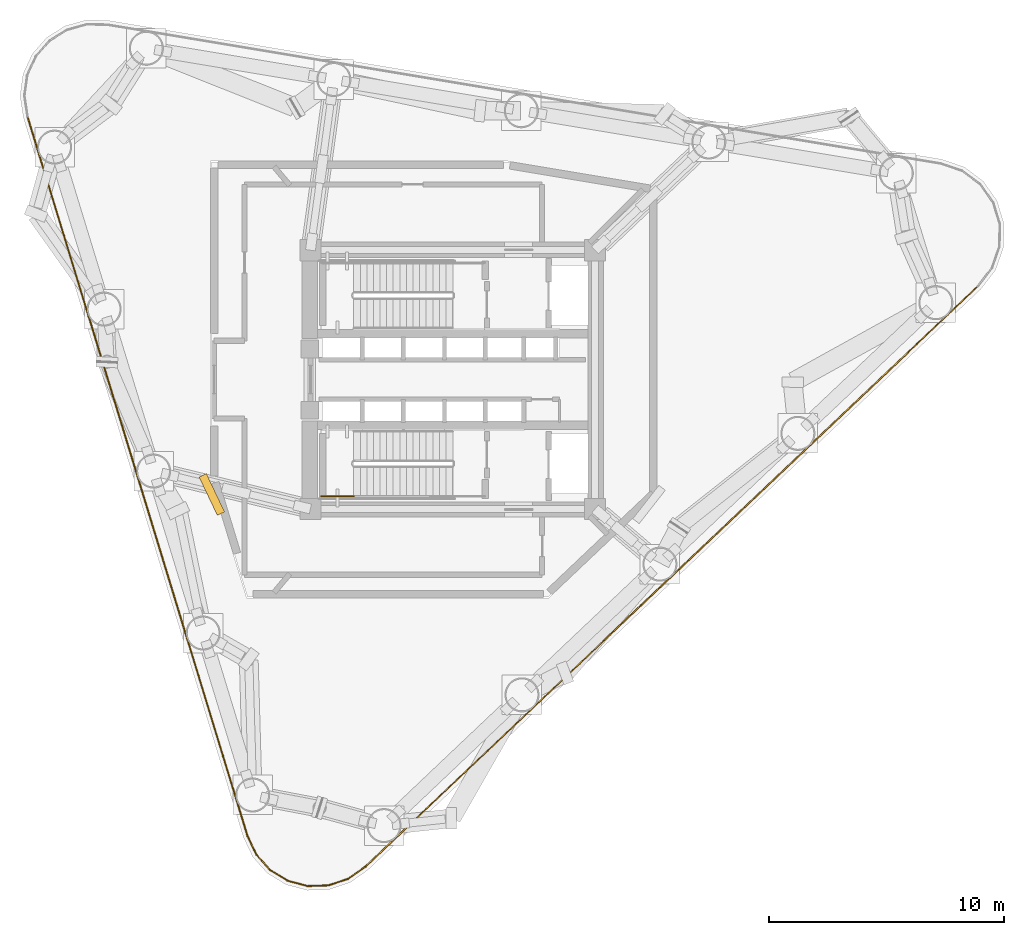
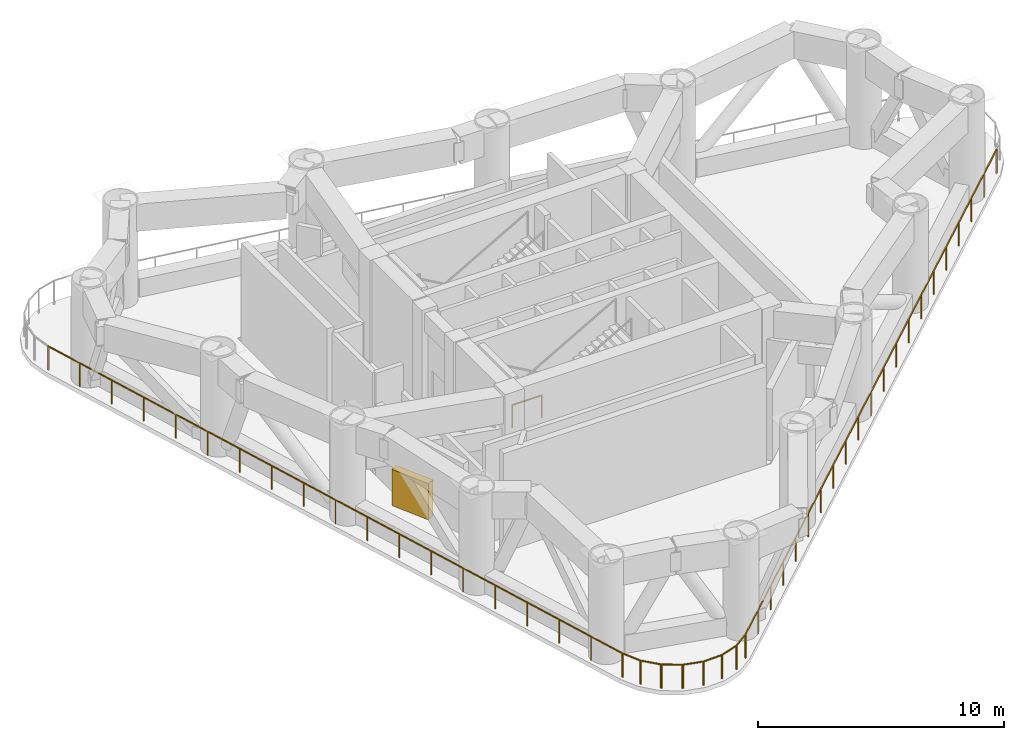
# One storey, part 6 of 8: 10 railings, 1 shading device.
"""IFC4 building model written with IfcOpenShell, lengths in metres."""

from ifc_helpers import new_model, si_unit, direction, frame, origin, origin_2d, place, context, subcontext, project, spatial, rectangle, extrude, source, transform, mapped, material, layer, layer_set, type_object, element, save


model = new_model("IFC4")

# Units and contexts
model_context = context("Model", 3, precision=1e-05, world=origin(), true_north=direction((0.0, 1.0)))
body_context = subcontext(model_context, "Body", "Model", "MODEL_VIEW")
ifc_project = project(units=[si_unit("LENGTHUNIT", "METRE"), si_unit("AREAUNIT", "SQUARE_METRE"), si_unit("VOLUMEUNIT", "CUBIC_METRE"), si_unit("PLANEANGLEUNIT", "RADIAN"), si_unit("MASSUNIT", "GRAM", prefix="KILO")], contexts=[model_context])

# Site, building, storey
site_placement = place(None, origin())
site = spatial("IfcSite", under=ifc_project, at=site_placement, CompositionType="ELEMENT")
building_placement = place(site_placement, origin())
building = spatial("IfcBuilding", under=site, at=building_placement, Name="Yunling Apex Tower", CompositionType="ELEMENT")
storey_placement = place(building_placement, frame((0.0, 0.0, 119.89990234375)))
storey = spatial("IfcBuildingStorey", under=building, at=storey_placement, Name="RF3", CompositionType="ELEMENT", Elevation=119.89990234375)

# Railings
ifc_material_1 = material(Name="Bronze anodised aluminium", Category="aluminium")
railing_type_1 = type_object("IfcRailingType", Name="RL-BAL-1200", PredefinedType="BALUSTRADE", material=ifc_material_1)
railing_1_placement = place(storey_placement, frame((-8.72705078125, -19.40185546875, 0.0)))
element("IfcRailing", 1, at=railing_1_placement, inside=storey, type_object=railing_type_1, Name="RL-REF-RF3-01", PredefinedType="BALUSTRADE", context=body_context, shape_type="SweptSolid", body=[
    extrude(rectangle(XDim=0.0439453125, YDim=0.0439453125, at=origin_2d()), origin(), (0.0, 0.0, 1.0), 1.199951171875),
    extrude(rectangle(XDim=0.0439453125, YDim=0.0439453125, at=origin_2d()), frame((-9.357421875, 30.606689453125, 0.0)), (0.0, 0.0, 1.0), 1.199951171875),
    extrude(rectangle(XDim=0.050048828125, YDim=0.050048828125, at=origin_2d()), frame((-0.01123046875, 0.03662109375, 1.1748046875), z_axis=(-0.292372214808, 0.956304600014, 0.0), x_axis=(-0.956304600014, -0.292372214808, 0.0)), (0.0, 0.0, 1.0), 31.928466796875),
    extrude(rectangle(XDim=0.0439453125, YDim=0.0439453125, at=origin_2d()), frame((-0.519775390625, 1.700439453125, 0.0)), (0.0, 0.0, 1.0), 1.14599609375),
    extrude(rectangle(XDim=0.0439453125, YDim=0.0439453125, at=origin_2d()), frame((-1.039794921875, 3.400634765625, 0.0)), (0.0, 0.0, 1.0), 1.14599609375),
    extrude(rectangle(XDim=0.0439453125, YDim=0.0439453125, at=origin_2d()), frame((-1.5595703125, 5.10107421875, 0.0)), (0.0, 0.0, 1.0), 1.14599609375),
    extrude(rectangle(XDim=0.0439453125, YDim=0.0439453125, at=origin_2d()), frame((-2.079345703125, 6.801513671875, 0.0)), (0.0, 0.0, 1.0), 1.14599609375),
    extrude(rectangle(XDim=0.0439453125, YDim=0.0439453125, at=origin_2d()), frame((-2.599365234375, 8.501953125, 0.0)), (0.0, 0.0, 1.0), 1.14599609375),
    extrude(rectangle(XDim=0.0439453125, YDim=0.0439453125, at=origin_2d()), frame((-3.119140625, 10.2021484375, 0.0)), (0.0, 0.0, 1.0), 1.14599609375),
    extrude(rectangle(XDim=0.0439453125, YDim=0.0439453125, at=origin_2d()), frame((-3.638916015625, 11.902587890625, 0.0)), (0.0, 0.0, 1.0), 1.14599609375),
    extrude(rectangle(XDim=0.0439453125, YDim=0.0439453125, at=origin_2d()), frame((-4.158935546875, 13.60302734375, 0.0)), (0.0, 0.0, 1.0), 1.14599609375),
    extrude(rectangle(XDim=0.0439453125, YDim=0.0439453125, at=origin_2d()), frame((-4.6787109375, 15.30322265625, 0.0)), (0.0, 0.0, 1.0), 1.14599609375),
    extrude(rectangle(XDim=0.0439453125, YDim=0.0439453125, at=origin_2d()), frame((-5.198486328125, 17.003662109375, 0.0)), (0.0, 0.0, 1.0), 1.14599609375),
    extrude(rectangle(XDim=0.0439453125, YDim=0.0439453125, at=origin_2d()), frame((-5.718505859375, 18.7041015625, 0.0)), (0.0, 0.0, 1.0), 1.14599609375),
    extrude(rectangle(XDim=0.0439453125, YDim=0.0439453125, at=origin_2d()), frame((-6.23828125, 20.404541015625, 0.0)), (0.0, 0.0, 1.0), 1.14599609375),
    extrude(rectangle(XDim=0.0439453125, YDim=0.0439453125, at=origin_2d()), frame((-6.758056640625, 22.104736328125, 0.0)), (0.0, 0.0, 1.0), 1.14599609375),
    extrude(rectangle(XDim=0.0439453125, YDim=0.0439453125, at=origin_2d()), frame((-7.278076171875, 23.80517578125, 0.0)), (0.0, 0.0, 1.0), 1.14599609375),
    extrude(rectangle(XDim=0.0439453125, YDim=0.0439453125, at=origin_2d()), frame((-7.7978515625, 25.505615234375, 0.0)), (0.0, 0.0, 1.0), 1.14599609375),
    extrude(rectangle(XDim=0.0439453125, YDim=0.0439453125, at=origin_2d()), frame((-8.317626953125, 27.2060546875, 0.0)), (0.0, 0.0, 1.0), 1.14599609375),
    extrude(rectangle(XDim=0.0439453125, YDim=0.0439453125, at=origin_2d()), frame((-8.837646484375, 28.90625, 0.0)), (0.0, 0.0, 1.0), 1.14599609375),
])
railing_2_placement = place(storey_placement, frame((22.336669921875, 3.9833984375, 0.0)))
element("IfcRailing", 2, at=railing_2_placement, inside=storey, type_object=railing_type_1, Name="RL-REF-RF3-17", PredefinedType="BALUSTRADE", context=body_context, shape_type="SweptSolid", body=[
    extrude(rectangle(XDim=0.0439453125, YDim=0.0439453125, at=origin_2d()), origin(), (0.0, 0.0, 1.0), 1.199951171875),
    extrude(rectangle(XDim=0.0439453125, YDim=0.0439453125, at=origin_2d()), frame((-26.0673828125, -24.702392578125, 0.0)), (0.0, 0.0, 1.0), 1.199951171875),
    extrude(rectangle(XDim=0.050048828125, YDim=0.050048828125, at=origin_2d()), frame((-0.02783203125, -0.0263671875, 1.1748046875), z_axis=(-0.725855676031, -0.68784703065, 0.0), x_axis=(0.68784703065, -0.725855676031, 0.0)), (0.0, 0.0, 1.0), 35.8359375),
    extrude(rectangle(XDim=0.0439453125, YDim=0.0439453125, at=origin_2d()), frame((-1.303466796875, -1.235107421875, 0.0)), (0.0, 0.0, 1.0), 1.14599609375),
    extrude(rectangle(XDim=0.0439453125, YDim=0.0439453125, at=origin_2d()), frame((-2.606689453125, -2.47021484375, 0.0)), (0.0, 0.0, 1.0), 1.14599609375),
    extrude(rectangle(XDim=0.0439453125, YDim=0.0439453125, at=origin_2d()), frame((-3.91015625, -3.705322265625, 0.0)), (0.0, 0.0, 1.0), 1.14599609375),
    extrude(rectangle(XDim=0.0439453125, YDim=0.0439453125, at=origin_2d()), frame((-5.21337890625, -4.9404296875, 0.0)), (0.0, 0.0, 1.0), 1.14599609375),
    extrude(rectangle(XDim=0.0439453125, YDim=0.0439453125, at=origin_2d()), frame((-6.516845703125, -6.175537109375, 0.0)), (0.0, 0.0, 1.0), 1.14599609375),
    extrude(rectangle(XDim=0.0439453125, YDim=0.0439453125, at=origin_2d()), frame((-7.8203125, -7.41064453125, 0.0)), (0.0, 0.0, 1.0), 1.14599609375),
    extrude(rectangle(XDim=0.0439453125, YDim=0.0439453125, at=origin_2d()), frame((-9.12353515625, -8.645751953125, 0.0)), (0.0, 0.0, 1.0), 1.14599609375),
    extrude(rectangle(XDim=0.0439453125, YDim=0.0439453125, at=origin_2d()), frame((-10.427001953125, -9.880859375, 0.0)), (0.0, 0.0, 1.0), 1.14599609375),
    extrude(rectangle(XDim=0.0439453125, YDim=0.0439453125, at=origin_2d()), frame((-11.730224609375, -11.115966796875, 0.0)), (0.0, 0.0, 1.0), 1.14599609375),
    extrude(rectangle(XDim=0.0439453125, YDim=0.0439453125, at=origin_2d()), frame((-13.03369140625, -12.35107421875, 0.0)), (0.0, 0.0, 1.0), 1.14599609375),
    extrude(rectangle(XDim=0.0439453125, YDim=0.0439453125, at=origin_2d()), frame((-14.337158203125, -13.58642578125, 0.0)), (0.0, 0.0, 1.0), 1.14599609375),
    extrude(rectangle(XDim=0.0439453125, YDim=0.0439453125, at=origin_2d()), frame((-15.640380859375, -14.821533203125, 0.0)), (0.0, 0.0, 1.0), 1.14599609375),
    extrude(rectangle(XDim=0.0439453125, YDim=0.0439453125, at=origin_2d()), frame((-16.94384765625, -16.056640625, 0.0)), (0.0, 0.0, 1.0), 1.14599609375),
    extrude(rectangle(XDim=0.0439453125, YDim=0.0439453125, at=origin_2d()), frame((-18.2470703125, -17.291748046875, 0.0)), (0.0, 0.0, 1.0), 1.14599609375),
    extrude(rectangle(XDim=0.0439453125, YDim=0.0439453125, at=origin_2d()), frame((-19.550537109375, -18.52685546875, 0.0)), (0.0, 0.0, 1.0), 1.14599609375),
    extrude(rectangle(XDim=0.0439453125, YDim=0.0439453125, at=origin_2d()), frame((-20.85400390625, -19.761962890625, 0.0)), (0.0, 0.0, 1.0), 1.14599609375),
    extrude(rectangle(XDim=0.0439453125, YDim=0.0439453125, at=origin_2d()), frame((-22.1572265625, -20.9970703125, 0.0)), (0.0, 0.0, 1.0), 1.14599609375),
    extrude(rectangle(XDim=0.0439453125, YDim=0.0439453125, at=origin_2d()), frame((-23.460693359375, -22.232177734375, 0.0)), (0.0, 0.0, 1.0), 1.14599609375),
    extrude(rectangle(XDim=0.0439453125, YDim=0.0439453125, at=origin_2d()), frame((-24.763916015625, -23.46728515625, 0.0)), (0.0, 0.0, 1.0), 1.14599609375),
])
railing_3_placement = place(storey_placement, frame((-3.70751953125, -20.7001953125, 0.0)))
element("IfcRailing", 3, at=railing_3_placement, inside=storey, type_object=railing_type_1, Name="RL-REF-RF3-18", PredefinedType="BALUSTRADE", context=body_context, shape_type="SweptSolid", body=[
    extrude(rectangle(XDim=0.0439453125, YDim=0.0439453125, at=origin_2d()), origin(), (0.0, 0.0, 1.0), 1.199951171875),
    extrude(rectangle(XDim=0.0439453125, YDim=0.0439453125, at=origin_2d()), frame((-0.75439453125, -0.53076171875, 0.0)), (0.0, 0.0, 1.0), 1.199951171875),
    extrude(rectangle(XDim=0.050048828125, YDim=0.050048828125, at=origin_2d()), frame((-0.03125, -0.02197265625, 1.1748046875), z_axis=(-0.817861779812, -0.575414727933, 0.0), x_axis=(0.575414727933, -0.817861779812, 0.0)), (0.0, 0.0, 1.0), 0.845703125),
])
railing_4_placement = place(storey_placement, frame((-4.435302734375, -21.217529296875, 0.0)))
element("IfcRailing", 4, at=railing_4_placement, inside=storey, type_object=railing_type_1, Name="RL-REF-RF3-19", PredefinedType="BALUSTRADE", context=body_context, shape_type="SweptSolid", body=[
    extrude(rectangle(XDim=0.0439453125, YDim=0.0439453125, at=origin_2d()), origin(), (0.0, 0.0, 1.0), 1.199951171875),
    extrude(rectangle(XDim=0.0439453125, YDim=0.0439453125, at=origin_2d()), frame((-0.8623046875, -0.28857421875, 0.0)), (0.0, 0.0, 1.0), 1.199951171875),
    extrude(rectangle(XDim=0.050048828125, YDim=0.050048828125, at=origin_2d()), frame((-0.036376953125, -0.01220703125, 1.1748046875), z_axis=(-0.948306741827, -0.317355200691, 0.0), x_axis=(0.317355200691, -0.948306741827, 0.0)), (0.0, 0.0, 1.0), 0.832763671875),
])
railing_5_placement = place(storey_placement, frame((-5.268310546875, -21.5009765625, 0.0)))
element("IfcRailing", 5, at=railing_5_placement, inside=storey, type_object=railing_type_1, Name="RL-REF-RF3-20", PredefinedType="BALUSTRADE", context=body_context, shape_type="SweptSolid", body=[
    extrude(rectangle(XDim=0.0439453125, YDim=0.0439453125, at=origin_2d()), origin(), (0.0, 0.0, 1.0), 1.199951171875),
    extrude(rectangle(XDim=0.0439453125, YDim=0.0439453125, at=origin_2d()), frame((-0.90869140625, -0.029541015625, 0.0)), (0.0, 0.0, 1.0), 1.199951171875),
    extrude(rectangle(XDim=0.050048828125, YDim=0.050048828125, at=origin_2d()), frame((-0.038330078125, -0.001220703125, 1.1748046875), z_axis=(-0.99947198783, -0.032492238186, 0.0), x_axis=(0.032492238186, -0.99947198783, 0.0)), (0.0, 0.0, 1.0), 0.83251953125),
])
railing_6_placement = place(storey_placement, frame((-6.1474609375, -21.533935546875, 0.0)))
element("IfcRailing", 6, at=railing_6_placement, inside=storey, type_object=railing_type_1, Name="RL-REF-RF3-21", PredefinedType="BALUSTRADE", context=body_context, shape_type="SweptSolid", body=[
    extrude(rectangle(XDim=0.0439453125, YDim=0.0439453125, at=origin_2d()), origin(), (0.0, 0.0, 1.0), 1.199951171875),
    extrude(rectangle(XDim=0.0439453125, YDim=0.0439453125, at=origin_2d()), frame((-0.87890625, 0.23193359375, 0.0)), (0.0, 0.0, 1.0), 1.199951171875),
    extrude(rectangle(XDim=0.050048828125, YDim=0.050048828125, at=origin_2d()), frame((-0.037109375, 0.009765625, 1.1748046875), z_axis=(-0.966900358349, 0.255154261231, 0.0), x_axis=(-0.255154261231, -0.966900358349, 0.0)), (0.0, 0.0, 1.0), 0.832275390625),
])
railing_7_placement = place(storey_placement, frame((-6.9990234375, -21.313720703125, 0.0)))
element("IfcRailing", 7, at=railing_7_placement, inside=storey, type_object=railing_type_1, Name="RL-REF-RF3-22", PredefinedType="BALUSTRADE", context=body_context, shape_type="SweptSolid", body=[
    extrude(rectangle(XDim=0.0439453125, YDim=0.0439453125, at=origin_2d()), origin(), (0.0, 0.0, 1.0), 1.199951171875),
    extrude(rectangle(XDim=0.0439453125, YDim=0.0439453125, at=origin_2d()), frame((-0.77587890625, 0.4736328125, 0.0)), (0.0, 0.0, 1.0), 1.199951171875),
    extrude(rectangle(XDim=0.050048828125, YDim=0.050048828125, at=origin_2d()), frame((-0.03271484375, 0.02001953125, 1.1748046875), z_axis=(-0.853534014015, 0.521037126239, 0.0), x_axis=(-0.521037126239, -0.853534014015, 0.0)), (0.0, 0.0, 1.0), 0.832275390625),
])
railing_8_placement = place(storey_placement, frame((-7.752197265625, -20.85888671875, 0.0)))
element("IfcRailing", 8, at=railing_8_placement, inside=storey, type_object=railing_type_1, Name="RL-REF-RF3-23", PredefinedType="BALUSTRADE", context=body_context, shape_type="SweptSolid", body=[
    extrude(rectangle(XDim=0.0439453125, YDim=0.0439453125, at=origin_2d()), origin(), (0.0, 0.0, 1.0), 1.199951171875),
    extrude(rectangle(XDim=0.0439453125, YDim=0.0439453125, at=origin_2d()), frame((-0.60791015625, 0.67578125, 0.0)), (0.0, 0.0, 1.0), 1.199951171875),
    extrude(rectangle(XDim=0.050048828125, YDim=0.050048828125, at=origin_2d()), frame((-0.025634765625, 0.028564453125, 1.1748046875), z_axis=(-0.668786642362, 0.743454387975, 0.0), x_axis=(-0.743454387975, -0.668786642362, 0.0)), (0.0, 0.0, 1.0), 0.832275390625),
])
railing_9_placement = place(storey_placement, frame((-8.343505859375, -20.207763671875, 0.0)))
element("IfcRailing", 9, at=railing_9_placement, inside=storey, type_object=railing_type_1, Name="RL-REF-RF3-24", PredefinedType="BALUSTRADE", context=body_context, shape_type="SweptSolid", body=[
    extrude(rectangle(XDim=0.0439453125, YDim=0.0439453125, at=origin_2d()), origin(), (0.0, 0.0, 1.0), 1.199951171875),
    extrude(rectangle(XDim=0.0439453125, YDim=0.0439453125, at=origin_2d()), frame((-0.394287109375, 0.833984375, 0.0)), (0.0, 0.0, 1.0), 1.199951171875),
    extrude(rectangle(XDim=0.050048828125, YDim=0.050048828125, at=origin_2d()), frame((-0.016357421875, 0.03466796875, 1.1748046875), z_axis=(-0.427415013314, 0.904055532804, 0.0), x_axis=(-0.904055532804, -0.427415013314, 0.0)), (0.0, 0.0, 1.0), 0.845947265625),
])
ifc_material_2 = material(Name="Steel Q355B", Category="steel")
railing_type_2 = type_object("IfcRailingType", Name="RL-GRD-1150", PredefinedType="GUARDRAIL", material=ifc_material_2)
railing_10_placement = place(storey_placement, frame((-4.2099609375, -4.9599609375, 2.550048828125)))
element("IfcRailing", 10, at=railing_10_placement, inside=storey, type_object=railing_type_2, Name="RF3 ST-2 stair guard 3", PredefinedType="GUARDRAIL", context=body_context, shape_type="SweptSolid", body=[
    extrude(rectangle(XDim=0.0439453125, YDim=0.0439453125, at=origin_2d()), origin(), (0.0, 0.0, 1.0), 1.14990234375),
    extrude(rectangle(XDim=0.0439453125, YDim=0.0439453125, at=origin_2d()), frame((-1.39013671875, 0.0, 0.0)), (0.0, 0.0, 1.0), 1.14990234375),
    extrude(rectangle(XDim=0.050048828125, YDim=0.050048828125, at=origin_2d()), frame((-0.038330078125, 0.0, 1.125), z_axis=(-1.0, 0.0, 0.0), x_axis=(0.0, -1.0, 0.0)), (0.0, 0.0, 1.0), 1.3134765625),
])

# Shading device
ifc_layer = layer(ifc_material_1, 0.1201171875)
ifc_layer_set = layer_set([ifc_layer], Name="Bronze anodised aluminium")
shading_device_type = type_object("IfcShadingDeviceType", Name="LV-BRZ-1", PredefinedType="USERDEFINED", material=ifc_layer_set)
shared_shape = source(origin(), body_context, "Body", "SweptSolid", [
    extrude(rectangle(XDim=1.800048828125, YDim=0.340087890625, at=origin_2d()), origin(), (0.0, 0.0, 1.0), 1.800048828125),
])
shading_device_placement = place(storey_placement, frame((-10.240966796875, -4.884765625, 0.0), z_axis=(0.0, 0.0, 1.0), x_axis=(-0.430511096808, 0.90258528435, 0.0)))
element("IfcShadingDevice", 11, at=shading_device_placement, inside=storey, type_object=shading_device_type, Name="LV-REF-RF3-1", ObjectType="LOUVRE", PredefinedType="USERDEFINED", context=body_context, shape_type="MappedRepresentation", body=[
    mapped(shared_shape, transform((0.0, 0.0, 0.0), scale=1.0)),
])

save(model, "model.ifc")
